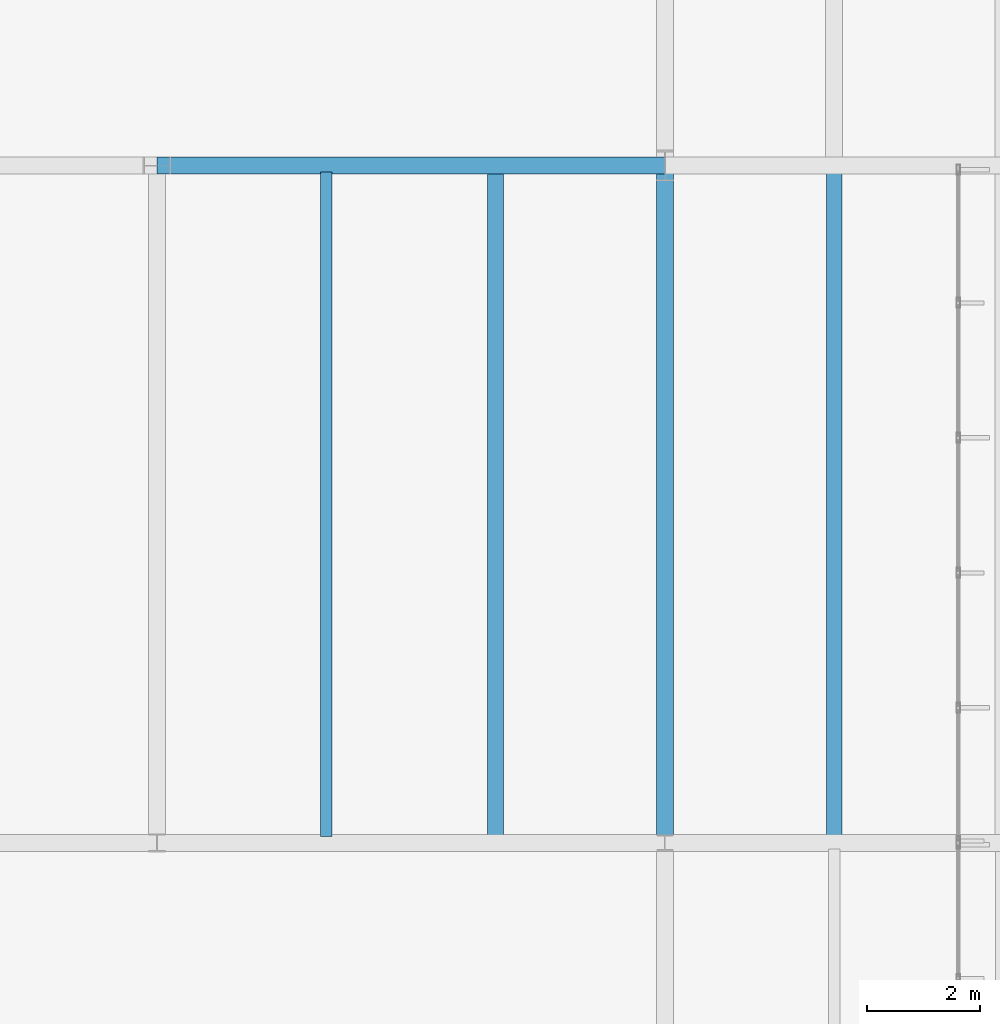
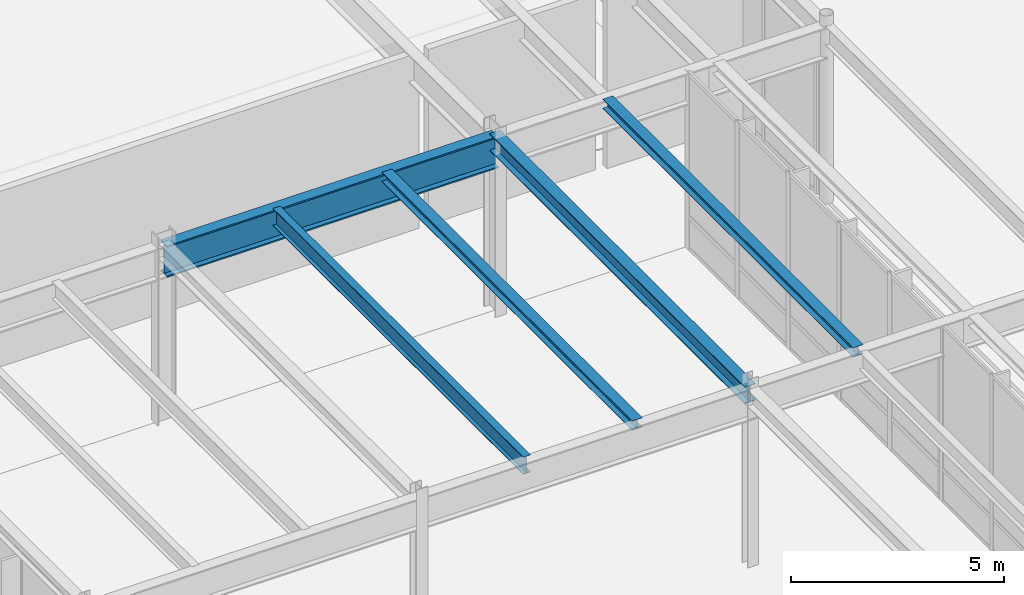
# One storey, part 69 of 143: 5 beams.
"""IFC4 building model written with IfcOpenShell, lengths in metres."""

import ifcopenshell
import ifcopenshell.guid

model = None  # the IFC model being written
_history = None  # IfcOwnerHistory: only IFC2X3 demands one
_inside = {}  # id of a spatial element -> (the spatial element, [elements in it])
_under = {}  # id of a project, library or spatial element -> (it, [spatial elements below it])
_declared = {}  # id of a project -> (the project, [libraries it declares])
_typed = {}  # id of a type object -> (the type object, [elements of that type])
_made_of = {}  # id of a material, layer set ... -> (it, [elements and type objects made of it])


def new_model(schema):
    """Start an empty IFC model of exactly this schema.

    Asked for "IFC4X3", IfcOpenShell would pick the latest addendum, in which some entities
    have other attributes; the version numbers below select the first issue.
    IFC2X3 requires an IfcOwnerHistory on every rooted entity: one is made here for all.
    """
    global model, _history
    if schema == "IFC4X3":
        model = ifcopenshell.file(schema_version=(4, 3, 0, 0))
    else:
        model = ifcopenshell.file(schema=schema)
    _inside.clear()
    _under.clear()
    _declared.clear()
    _typed.clear()
    _made_of.clear()
    _history = None
    if model.schema == "IFC2X3":
        org = make("IfcOrganization", Name="unknown")
        user = make(
            "IfcPersonAndOrganization",
            ThePerson=make("IfcPerson", FamilyName="unknown"),
            TheOrganization=org,
        )
        app = make(
            "IfcApplication",
            ApplicationDeveloper=org,
            Version="unknown",
            ApplicationFullName="unknown",
            ApplicationIdentifier="unknown",
        )
        _history = make(
            "IfcOwnerHistory",
            OwningUser=user,
            OwningApplication=app,
            ChangeAction="ADDED",
            CreationDate=0,
        )
    return model


def make(cls, **values):
    """One entity of the class cls with the attributes given. An attribute that is None is left unset."""
    return model.create_entity(
        cls, **{name: value for name, value in values.items() if value is not None}
    )


def rooted(cls, **values):
    """An entity with a GlobalId (a new one), such as an element, a storey or a relation."""
    return make(cls, GlobalId=ifcopenshell.guid.new(), OwnerHistory=_history, **values)


def si_unit(unit_type, name, prefix=None):
    """IfcSIUnit, for example si_unit("LENGTHUNIT", "METRE", prefix="MILLI")."""
    return make("IfcSIUnit", UnitType=unit_type, Prefix=prefix, Name=name)


def assignment(units):
    """IfcUnitAssignment: the units of a project."""
    return None if units is None else make("IfcUnitAssignment", Units=units)


def point(xyz):
    """IfcCartesianPoint."""
    return None if xyz is None else make("IfcCartesianPoint", Coordinates=xyz)


def direction(xyz):
    """IfcDirection."""
    return None if xyz is None else make("IfcDirection", DirectionRatios=xyz)


def frame(location, z_axis=None, x_axis=None):
    """IfcAxis2Placement3D, a coordinate frame: its origin and axes. An axis left out is left unset."""
    return make(
        "IfcAxis2Placement3D",
        Location=point(location),
        Axis=direction(z_axis),
        RefDirection=direction(x_axis),
    )


def frame_2d(location, x_axis=None):
    """IfcAxis2Placement2D, a coordinate frame in the plane: its origin and x axis."""
    return make(
        "IfcAxis2Placement2D", Location=point(location), RefDirection=direction(x_axis)
    )


def origin():
    """The frame at (0, 0, 0) with its axes left unset."""
    return frame((0.0, 0.0, 0.0))


def origin_2d():
    """The frame at (0, 0) in the plane with its x axis left unset."""
    return frame_2d((0.0, 0.0))


def place(relative_to, where):
    """IfcLocalPlacement: puts the frame where relative to a parent placement (None: the world)."""
    return make(
        "IfcLocalPlacement", PlacementRelTo=relative_to, RelativePlacement=where
    )


def context(
    kind, dimensions, precision=None, world=None, true_north=None, identifier=None
):
    """IfcGeometricRepresentationContext, for example the 3D "Model" context."""
    return make(
        "IfcGeometricRepresentationContext",
        ContextIdentifier=identifier,
        ContextType=kind,
        CoordinateSpaceDimension=dimensions,
        Precision=precision,
        WorldCoordinateSystem=world,
        TrueNorth=true_north,
    )


def subcontext(parent, identifier, kind, view, scale=None):
    """IfcGeometricRepresentationSubContext, for example "Body" below "Model"."""
    return make(
        "IfcGeometricRepresentationSubContext",
        ContextIdentifier=identifier,
        ContextType=kind,
        ParentContext=parent,
        TargetScale=scale,
        TargetView=view,
    )


def project(units=None, contexts=None):
    """IfcProject with its units and contexts."""
    return rooted(
        "IfcProject",
        Name="project",
        RepresentationContexts=contexts,
        UnitsInContext=assignment(units),
    )


def spatial(cls, under=None, at=None, **own):
    """A site, building, storey or space (cls), placed at a placement, below another one or the project."""
    s = rooted(cls, ObjectPlacement=at, **own)
    if under is not None:
        _under.setdefault(under.id(), (under, []))[1].append(s)
    return s


def profile(cls, at=None, kind="AREA", **sizes):
    """A parametric profile (cls). Its sizes go by their IFC names, for example OverallWidth=200.0."""
    return make(cls, ProfileType=kind, Position=at, **sizes)


def i_section(**sizes):
    """IfcIShapeProfileDef."""
    return profile("IfcIShapeProfileDef", **sizes)


def extrude(swept, where, along, depth):
    """IfcExtrudedAreaSolid: the profile swept, set in the frame where, extruded along a direction by depth."""
    return make(
        "IfcExtrudedAreaSolid",
        SweptArea=swept,
        Position=where,
        ExtrudedDirection=direction(along),
        Depth=depth,
    )


def shape(context_of_items, identifier, shape_type, items):
    """IfcShapeRepresentation: the items that make up one representation, for example the "Body"."""
    return make(
        "IfcShapeRepresentation",
        ContextOfItems=context_of_items,
        RepresentationIdentifier=identifier,
        RepresentationType=shape_type,
        Items=items,
    )


def material(Name=None, Category=None):
    """IfcMaterial."""
    return make("IfcMaterial", Name=Name, Category=Category)


def material_profile(
    of_material, cross_section, Name=None, Category=None, Priority=None
):
    """IfcMaterialProfile: a cross section and its material."""
    return make(
        "IfcMaterialProfile",
        Name=Name,
        Material=of_material,
        Profile=cross_section,
        Priority=Priority,
        Category=Category,
    )


def profile_set(profiles, Name=None, composite=None):
    """IfcMaterialProfileSet."""
    return make(
        "IfcMaterialProfileSet",
        Name=Name,
        MaterialProfiles=profiles,
        CompositeProfile=composite,
    )


def made_of(thing, what):
    """Note that an element or type object is made of a material, layer set ...; save() writes the relation."""
    if what is not None:
        _made_of.setdefault(what.id(), (what, []))[1].append(thing)
    return thing


def type_object(cls, material=None, **own):
    """A type object (cls), such as IfcWallType, which elements share."""
    return made_of(rooted(cls, **own), material)


def element(
    cls,
    number,
    at=None,
    inside=None,
    cuts=None,
    type_object=None,
    material=None,
    context=None,
    identifier="Body",
    shape_type=None,
    held_by="IfcProductDefinitionShape",
    body=None,
    shapes=None,
    **own,
):
    """One element of the class cls, such as IfcWall. Its Tag is "e" and its number.

    at: its placement. inside: the storey or other place that contains it. cuts: it is an
    opening in that element (IfcRelVoidsElement). A single representation is given by context,
    identifier, shape_type and body (its items); several are given by shapes. held_by: the class
    of the entity that holds the representations. save() writes the other relations.
    """
    e = rooted(cls, Tag="e%d" % number, ObjectPlacement=at, **own)
    if body is not None:
        shapes = [shape(context, identifier, shape_type, body)]
    if shapes is not None:
        e.Representation = make(held_by, Representations=shapes)
    if inside is not None:
        _inside.setdefault(inside.id(), (inside, []))[1].append(e)
    if cuts is not None:
        rooted(
            "IfcRelVoidsElement", RelatingBuildingElement=cuts, RelatedOpeningElement=e
        )
    if type_object is not None:
        _typed.setdefault(type_object.id(), (type_object, []))[1].append(e)
    return made_of(e, material)


def aggregate(whole, parts):
    """IfcRelAggregates: a whole, such as a stair, and the parts it consists of."""
    return rooted("IfcRelAggregates", RelatingObject=whole, RelatedObjects=parts)


def save(model, path):
    """Write the relations noted so far, then the file.

    IfcRelAggregates (storeys below a building ...), IfcRelContainedInSpatialStructure (elements
    in a storey), IfcRelDefinesByType, IfcRelAssociatesMaterial and IfcRelDeclares: one each for
    every whole, place, type object, material and project.
    """
    for whole, parts in _under.values():
        aggregate(whole, parts)
    for where, things in _inside.values():
        rooted(
            "IfcRelContainedInSpatialStructure",
            RelatedElements=things,
            RelatingStructure=where,
        )
    for kind, things in _typed.values():
        rooted("IfcRelDefinesByType", RelatedObjects=things, RelatingType=kind)
    for what, things in _made_of.values():
        rooted("IfcRelAssociatesMaterial", RelatedObjects=things, RelatingMaterial=what)
    for by, libraries in _declared.values():
        rooted("IfcRelDeclares", RelatingContext=by, RelatedDefinitions=libraries)
    model.write(path)


model = new_model("IFC4")

# Units and contexts
model_context = context("Model", 3, precision=1e-05, world=origin(), true_north=direction((0.0, 1.0)))
body_context = subcontext(model_context, "Body", "Model", "MODEL_VIEW")
ifc_project = project(units=[si_unit("LENGTHUNIT", "METRE"), si_unit("AREAUNIT", "SQUARE_METRE"), si_unit("VOLUMEUNIT", "CUBIC_METRE"), si_unit("PLANEANGLEUNIT", "RADIAN"), si_unit("MASSUNIT", "GRAM", prefix="KILO")], contexts=[model_context])

# Site, building, storey
site_placement = place(None, origin())
site = spatial("IfcSite", under=ifc_project, at=site_placement, CompositionType="ELEMENT")
building_placement = place(site_placement, origin())
building = spatial("IfcBuilding", under=site, at=building_placement, Name="Montelvaro Courts of Justice", CompositionType="ELEMENT")
storey_placement = place(building_placement, origin())
storey = spatial("IfcBuildingStorey", under=building, at=storey_placement, Name="L00", CompositionType="ELEMENT", Elevation=0.0)

# Beams
ifc_material = material(Name="Steel S355", Category="steel")
ifc_material_profile_1 = material_profile(ifc_material, i_section(OverallWidth=0.280029296875, OverallDepth=0.27001953125, WebThickness=0.008056640625, FlangeThickness=0.012939453125, at=origin_2d()), Name="HEA 280")
ifc_profile_set_1 = profile_set([ifc_material_profile_1], Name="Steel S355")
beam_type_1 = type_object("IfcBeamType", Name="Beam_HEA280", PredefinedType="BEAM", material=ifc_profile_set_1)
for number, where, z_axis, x_axis, name in (
    (1, (69.0, 66.110107421875, 4.985107421875), (0.0, 1.0, 0.0), (-1.0, 0.0, 0.0), "Beam B-14 L00"),
    (2, (75.0, 66.110107421875, 4.985107421875), (0.0, 1.0, 0.0), (-1.0, 0.0, 0.0), "Beam B-14 L00"),
):
    element("IfcBeam", number, at=place(storey_placement, frame(where, z_axis=z_axis, x_axis=x_axis)), inside=storey, type_object=beam_type_1, Name=name, PredefinedType="BEAM", context=body_context, shape_type="SweptSolid", body=[
        extrude(i_section(OverallWidth=0.280029296875, OverallDepth=0.27001953125, WebThickness=0.008056640625, FlangeThickness=0.012939453125, at=origin_2d()), origin(), (0.0, 0.0, 1.0), 11.77978515625),
    ])
ifc_material_profile_2 = material_profile(ifc_material, i_section(OverallWidth=0.300048828125, OverallDepth=0.489990234375, WebThickness=0.011962890625, FlangeThickness=0.02294921875, at=origin_2d()), Name="HEA 500")
ifc_profile_set_2 = profile_set([ifc_material_profile_2], Name="Steel S355")
beam_type_2 = type_object("IfcBeamType", Name="Beam_HEA500", PredefinedType="USERDEFINED", material=ifc_profile_set_2)
beam_1_placement = place(storey_placement, frame((72.0, 66.0, 4.875), z_axis=(0.0, 1.0, 0.0), x_axis=(-1.0, 0.0, 0.0)))
element("IfcBeam", 3, at=beam_1_placement, inside=storey, type_object=beam_type_2, Name="Beam B-19 L00", ObjectType="GIRDER", PredefinedType="USERDEFINED", context=body_context, shape_type="SweptSolid", body=[
    extrude(i_section(OverallWidth=0.300048828125, OverallDepth=0.489990234375, WebThickness=0.011962890625, FlangeThickness=0.02294921875, at=origin_2d()), origin(), (0.0, 0.0, 1.0), 12.0),
])
ifc_material_profile_3 = material_profile(ifc_material, i_section(OverallWidth=0.302001953125, OverallDepth=0.909912109375, WebThickness=0.02099609375, FlangeThickness=0.0400390625, at=origin_2d()), Name="HEM 900")
ifc_profile_set_3 = profile_set([ifc_material_profile_3], Name="Steel S355")
beam_type_3 = type_object("IfcBeamType", Name="Beam_HEM900", PredefinedType="USERDEFINED", material=ifc_profile_set_3)
beam_2_placement = place(storey_placement, frame((63.0, 78.0, 4.625), z_axis=(1.0, 0.0, 0.0), x_axis=(0.0, 1.0, 0.0)))
element("IfcBeam", 4, at=beam_2_placement, inside=storey, type_object=beam_type_3, Name="Beam B-31 L00", ObjectType="GIRDER", PredefinedType="USERDEFINED", context=body_context, shape_type="SweptSolid", body=[
    extrude(i_section(OverallWidth=0.302001953125, OverallDepth=0.909912109375, WebThickness=0.02099609375, FlangeThickness=0.0400390625, at=origin_2d()), origin(), (0.0, 0.0, 1.0), 9.0),
])
ifc_material_profile_4 = material_profile(ifc_material, i_section(OverallWidth=0.199951171875, OverallDepth=0.5, WebThickness=0.01025390625, FlangeThickness=0.01611328125, at=origin_2d()), Name="IPE 500")
ifc_profile_set_4 = profile_set([ifc_material_profile_4], Name="Steel S355")
beam_type_4 = type_object("IfcBeamType", Name="Beam_IPE500", PredefinedType="BEAM", material=ifc_profile_set_4)
beam_3_placement = place(storey_placement, frame((66.0, 66.110107421875, 4.8701171875), z_axis=(0.0, 1.0, 0.0), x_axis=(-1.0, 0.0, 0.0)))
element("IfcBeam", 5, at=beam_3_placement, inside=storey, type_object=beam_type_4, Name="Beam B-10 L00", PredefinedType="BEAM", context=body_context, shape_type="SweptSolid", body=[
    extrude(i_section(OverallWidth=0.199951171875, OverallDepth=0.5, WebThickness=0.01025390625, FlangeThickness=0.01611328125, at=origin_2d()), origin(), (0.0, 0.0, 1.0), 11.77978515625),
])

save(model, "model.ifc")
